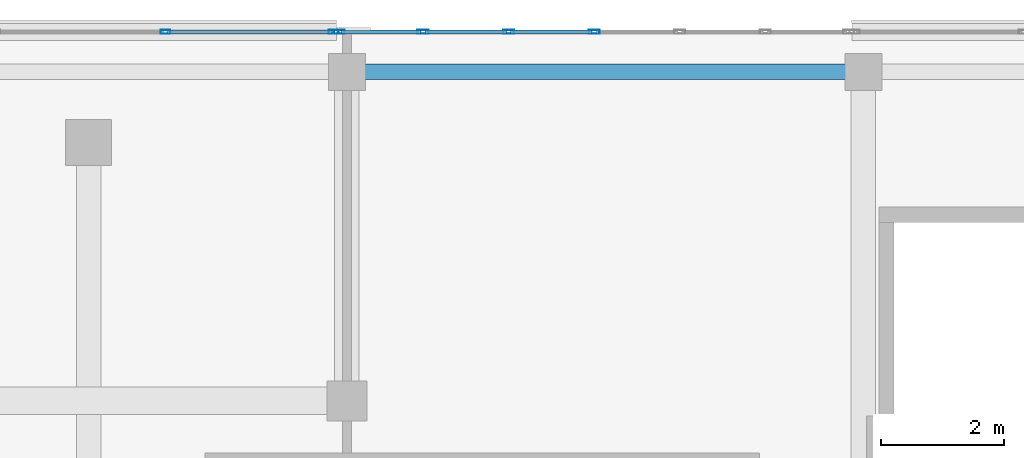
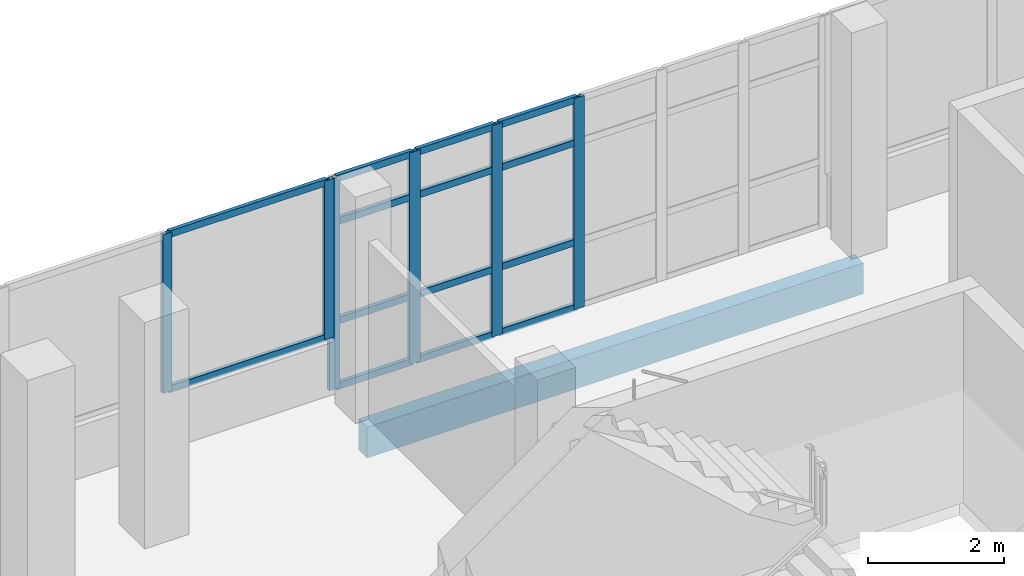
# One storey, part 37 of 76: 20 members, 1 beam, 2 elements without a shape of their own.
"""IFC4 building model written with IfcOpenShell, lengths in metres."""

from ifc_helpers import new_model, si_unit, direction, frame, origin, origin_2d, place, context, subcontext, project, spatial, rectangle, hollow_rectangle, extrude, material, material_profile, profile_set, type_object, element, aggregate, save


model = new_model("IFC4")

# Units and contexts
model_context = context("Model", 3, precision=1e-05, world=origin(), true_north=direction((0.0, 1.0)))
body_context = subcontext(model_context, "Body", "Model", "MODEL_VIEW")
ifc_project = project(units=[si_unit("LENGTHUNIT", "METRE"), si_unit("AREAUNIT", "SQUARE_METRE"), si_unit("VOLUMEUNIT", "CUBIC_METRE"), si_unit("PLANEANGLEUNIT", "RADIAN"), si_unit("MASSUNIT", "GRAM", prefix="KILO")], contexts=[model_context])

# Site, building, storey
site_placement = place(None, origin())
site = spatial("IfcSite", under=ifc_project, at=site_placement, CompositionType="ELEMENT")
building_placement = place(site_placement, origin())
building = spatial("IfcBuilding", under=site, at=building_placement, Name="Selatvlak General Hospital", CompositionType="ELEMENT")
storey_placement = place(building_placement, frame((0.0, 0.0, 27.300048828125)))
storey = spatial("IfcBuildingStorey", under=building, at=storey_placement, Name="L06", CompositionType="ELEMENT", Elevation=27.300048828125)

# Beam
ifc_material_1 = material(Name="Concrete C40/50", Category="concrete")
ifc_material_profile_1 = material_profile(ifc_material_1, rectangle(XDim=0.25, YDim=0.550048828125, at=origin_2d()), Name="RC-SP 250x550")
ifc_profile_set_1 = profile_set([ifc_material_profile_1], Name="Concrete C40/50")
beam_type = type_object("IfcBeamType", Name="BM-SP2", PredefinedType="SPANDREL", material=ifc_profile_set_1)
beam_placement = place(storey_placement, frame((90.0, 119.35009765625, -0.550048828125), z_axis=(1.0, 0.0, 0.0), x_axis=(0.0, 1.0, 0.0)))
element("IfcBeam", 1, at=beam_placement, inside=storey, type_object=beam_type, Name="Beam BMR-L06-2236", PredefinedType="SPANDREL", context=body_context, shape_type="SweptSolid", body=[
    extrude(rectangle(XDim=0.25, YDim=0.550048828125, at=origin_2d()), origin(), (0.0, 0.0, 1.0), 8.39990234375),
])

# Curtain wall, members
ifc_material_2 = material(Name="Solar-control Low-E double glazing", Category="glass")
curtain_wall_type_1 = type_object("IfcCurtainWallType", Name="CW-CW-01", PredefinedType="USERDEFINED", material=ifc_material_2)
curtain_wall_1_placement = place(storey_placement, origin())
curtain_wall_1 = element("IfcCurtainWall", 2, at=curtain_wall_1_placement, inside=storey, type_object=curtain_wall_type_1, Name="Glazed facade curtain wall CW-L06-0605", ObjectType="UNITISED CURTAIN WALL", PredefinedType="USERDEFINED")
ifc_material_3 = material(Name="Dark anodised aluminium mullion", Category="aluminium")
ifc_material_profile_2 = material_profile(ifc_material_3, hollow_rectangle(XDim=0.06494140625, YDim=0.159912109375, WallThickness=0.00390625, at=origin_2d()), Name="AL-MUL 65x160x4")
ifc_profile_set_2 = profile_set([ifc_material_profile_2], Name="Dark anodised aluminium mullion")
member_type_1 = type_object("IfcMemberType", Name="CWM-01", PredefinedType="MULLION", material=ifc_profile_set_2)
member_1_placement = place(storey_placement, frame((87.049560546875, 119.9990234375, 0.93994140625), z_axis=(0.0, 0.0, 1.0), x_axis=(0.0, 1.0, 0.0)))
member_1 = element("IfcMember", 3, at=member_1_placement, type_object=member_type_1, Name="CW-01 mullion 3", PredefinedType="MULLION", context=body_context, shape_type="SweptSolid", body=[
    extrude(hollow_rectangle(XDim=0.06494140625, YDim=0.159912109375, WallThickness=0.00390625, at=origin_2d()), origin(), (0.0, 0.0, 1.0), 2.840087890625),
])
member_2_placement = place(storey_placement, frame((89.783447265625, 119.9990234375, 0.93994140625), z_axis=(0.0, 0.0, 1.0), x_axis=(0.0, 1.0, 0.0)))
member_2 = element("IfcMember", 4, at=member_2_placement, type_object=member_type_1, Name="CW-01 mullion 4", PredefinedType="MULLION", context=body_context, shape_type="SweptSolid", body=[
    extrude(hollow_rectangle(XDim=0.06494140625, YDim=0.159912109375, WallThickness=0.00390625, at=origin_2d()), origin(), (0.0, 0.0, 1.0), 2.840087890625),
])

curtain_wall_type_2 = type_object("IfcCurtainWallType", Name="CW-CW-04", PredefinedType="USERDEFINED", material=ifc_material_2)
curtain_wall_2_placement = place(storey_placement, origin())
curtain_wall_2 = element("IfcCurtainWall", 5, at=curtain_wall_2_placement, inside=storey, type_object=curtain_wall_type_2, Name="Glazed facade curtain wall CW-L06-0606", ObjectType="STICK GLAZING WALL", PredefinedType="USERDEFINED")
ifc_material_profile_3 = material_profile(ifc_material_3, hollow_rectangle(XDim=0.06494140625, YDim=0.179931640625, WallThickness=0.00439453125, at=origin_2d()), Name="AL-MUL 65x180x4.5")
ifc_profile_set_3 = profile_set([ifc_material_profile_3], Name="Dark anodised aluminium mullion")
member_type_2 = type_object("IfcMemberType", Name="CWM-02", PredefinedType="MULLION", material=ifc_profile_set_3)
member_3_placement = place(storey_placement, frame((89.87841796875, 119.9990234375, 0.0), z_axis=(0.0, 0.0, 1.0), x_axis=(0.0, 1.0, 0.0)))
member_3 = element("IfcMember", 6, at=member_3_placement, type_object=member_type_2, Name="CW-04 mullion 1", PredefinedType="MULLION", context=body_context, shape_type="SweptSolid", body=[
    extrude(hollow_rectangle(XDim=0.06494140625, YDim=0.179931640625, WallThickness=0.00439453125, at=origin_2d()), origin(), (0.0, 0.0, 1.0), 3.780029296875),
])
member_4_placement = place(storey_placement, frame((91.237548828125, 119.9990234375, 0.0), z_axis=(0.0, 0.0, 1.0), x_axis=(0.0, 1.0, 0.0)))
member_4 = element("IfcMember", 7, at=member_4_placement, type_object=member_type_2, Name="CW-04 mullion 2", PredefinedType="MULLION", context=body_context, shape_type="SweptSolid", body=[
    extrude(hollow_rectangle(XDim=0.06494140625, YDim=0.179931640625, WallThickness=0.00439453125, at=origin_2d()), origin(), (0.0, 0.0, 1.0), 3.780029296875),
])
member_5_placement = place(storey_placement, frame((92.62890625, 119.9990234375, 0.0), z_axis=(0.0, 0.0, 1.0), x_axis=(0.0, 1.0, 0.0)))
member_5 = element("IfcMember", 8, at=member_5_placement, type_object=member_type_2, Name="CW-04 mullion 3", PredefinedType="MULLION", context=body_context, shape_type="SweptSolid", body=[
    extrude(hollow_rectangle(XDim=0.06494140625, YDim=0.179931640625, WallThickness=0.00439453125, at=origin_2d()), origin(), (0.0, 0.0, 1.0), 3.780029296875),
])
member_6_placement = place(storey_placement, frame((94.0205078125, 119.9990234375, 0.0), z_axis=(0.0, 0.0, 1.0), x_axis=(0.0, 1.0, 0.0)))
member_6 = element("IfcMember", 9, at=member_6_placement, type_object=member_type_2, Name="CW-04 mullion 4", PredefinedType="MULLION", context=body_context, shape_type="SweptSolid", body=[
    extrude(hollow_rectangle(XDim=0.06494140625, YDim=0.179931640625, WallThickness=0.00439453125, at=origin_2d()), origin(), (0.0, 0.0, 1.0), 3.780029296875),
])

# Member
ifc_material_profile_4 = material_profile(ifc_material_3, hollow_rectangle(XDim=0.06494140625, YDim=0.1201171875, WallThickness=0.00390625, at=origin_2d()), Name="AL-TRN 65x120x4")
ifc_profile_set_4 = profile_set([ifc_material_profile_4], Name="Dark anodised aluminium mullion")
member_type_3 = type_object("IfcMemberType", Name="CWT-01", PredefinedType="USERDEFINED", material=ifc_profile_set_4)
member_7_placement = place(storey_placement, frame((87.082275390625, 119.9990234375, 0.972412109375), z_axis=(1.0, 0.0, 0.0), x_axis=(0.0, 1.0, 0.0)))
member_7 = element("IfcMember", 10, at=member_7_placement, type_object=member_type_3, Name="CW-01 transom 3.1", ObjectType="TRANSOM", PredefinedType="USERDEFINED", context=body_context, shape_type="SweptSolid", body=[
    extrude(hollow_rectangle(XDim=0.06494140625, YDim=0.1201171875, WallThickness=0.00390625, at=origin_2d()), origin(), (0.0, 0.0, 1.0), 2.668701171875),
])

member_8_placement = place(storey_placement, frame((87.082275390625, 119.9990234375, 3.74755859375), z_axis=(1.0, 0.0, 0.0), x_axis=(0.0, 1.0, 0.0)))
member_8 = element("IfcMember", 11, at=member_8_placement, type_object=member_type_3, Name="CW-01 transom 3.2", ObjectType="TRANSOM", PredefinedType="USERDEFINED", context=body_context, shape_type="SweptSolid", body=[
    extrude(hollow_rectangle(XDim=0.06494140625, YDim=0.1201171875, WallThickness=0.00390625, at=origin_2d()), origin(), (0.0, 0.0, 1.0), 2.668701171875),
])

aggregate(curtain_wall_1, [member_1, member_2, member_7, member_8])

member_9_placement = place(storey_placement, frame((89.910888671875, 119.9990234375, 0.032470703125), z_axis=(1.0, 0.0, 0.0), x_axis=(0.0, 1.0, 0.0)))
member_9 = element("IfcMember", 12, at=member_9_placement, type_object=member_type_3, Name="CW-04 transom 1.1", ObjectType="TRANSOM", PredefinedType="USERDEFINED", context=body_context, shape_type="SweptSolid", body=[
    extrude(hollow_rectangle(XDim=0.06494140625, YDim=0.1201171875, WallThickness=0.00390625, at=origin_2d()), origin(), (0.0, 0.0, 1.0), 1.294189453125),
])

member_10_placement = place(storey_placement, frame((89.910888671875, 119.9990234375, 1.199951171875), z_axis=(1.0, 0.0, 0.0), x_axis=(0.0, 1.0, 0.0)))
member_10 = element("IfcMember", 13, at=member_10_placement, type_object=member_type_3, Name="CW-04 transom 1.2", ObjectType="TRANSOM", PredefinedType="USERDEFINED", context=body_context, shape_type="SweptSolid", body=[
    extrude(hollow_rectangle(XDim=0.06494140625, YDim=0.1201171875, WallThickness=0.00390625, at=origin_2d()), origin(), (0.0, 0.0, 1.0), 1.294189453125),
])

member_11_placement = place(storey_placement, frame((89.910888671875, 119.9990234375, 2.97998046875), z_axis=(1.0, 0.0, 0.0), x_axis=(0.0, 1.0, 0.0)))
member_11 = element("IfcMember", 14, at=member_11_placement, type_object=member_type_3, Name="CW-04 transom 1.3", ObjectType="TRANSOM", PredefinedType="USERDEFINED", context=body_context, shape_type="SweptSolid", body=[
    extrude(hollow_rectangle(XDim=0.06494140625, YDim=0.1201171875, WallThickness=0.00390625, at=origin_2d()), origin(), (0.0, 0.0, 1.0), 1.294189453125),
])

member_12_placement = place(storey_placement, frame((89.910888671875, 119.9990234375, 3.74755859375), z_axis=(1.0, 0.0, 0.0), x_axis=(0.0, 1.0, 0.0)))
member_12 = element("IfcMember", 15, at=member_12_placement, type_object=member_type_3, Name="CW-04 transom 1.4", ObjectType="TRANSOM", PredefinedType="USERDEFINED", context=body_context, shape_type="SweptSolid", body=[
    extrude(hollow_rectangle(XDim=0.06494140625, YDim=0.1201171875, WallThickness=0.00390625, at=origin_2d()), origin(), (0.0, 0.0, 1.0), 1.294189453125),
])

member_13_placement = place(storey_placement, frame((91.27001953125, 119.9990234375, 0.032470703125), z_axis=(1.0, 0.0, 0.0), x_axis=(0.0, 1.0, 0.0)))
member_13 = element("IfcMember", 16, at=member_13_placement, type_object=member_type_3, Name="CW-04 transom 2.1", ObjectType="TRANSOM", PredefinedType="USERDEFINED", context=body_context, shape_type="SweptSolid", body=[
    extrude(hollow_rectangle(XDim=0.06494140625, YDim=0.1201171875, WallThickness=0.00390625, at=origin_2d()), origin(), (0.0, 0.0, 1.0), 1.326416015625),
])

member_14_placement = place(storey_placement, frame((91.27001953125, 119.9990234375, 1.199951171875), z_axis=(1.0, 0.0, 0.0), x_axis=(0.0, 1.0, 0.0)))
member_14 = element("IfcMember", 17, at=member_14_placement, type_object=member_type_3, Name="CW-04 transom 2.2", ObjectType="TRANSOM", PredefinedType="USERDEFINED", context=body_context, shape_type="SweptSolid", body=[
    extrude(hollow_rectangle(XDim=0.06494140625, YDim=0.1201171875, WallThickness=0.00390625, at=origin_2d()), origin(), (0.0, 0.0, 1.0), 1.326416015625),
])

member_15_placement = place(storey_placement, frame((91.27001953125, 119.9990234375, 2.97998046875), z_axis=(1.0, 0.0, 0.0), x_axis=(0.0, 1.0, 0.0)))
member_15 = element("IfcMember", 18, at=member_15_placement, type_object=member_type_3, Name="CW-04 transom 2.3", ObjectType="TRANSOM", PredefinedType="USERDEFINED", context=body_context, shape_type="SweptSolid", body=[
    extrude(hollow_rectangle(XDim=0.06494140625, YDim=0.1201171875, WallThickness=0.00390625, at=origin_2d()), origin(), (0.0, 0.0, 1.0), 1.326416015625),
])

member_16_placement = place(storey_placement, frame((91.27001953125, 119.9990234375, 3.74755859375), z_axis=(1.0, 0.0, 0.0), x_axis=(0.0, 1.0, 0.0)))
member_16 = element("IfcMember", 19, at=member_16_placement, type_object=member_type_3, Name="CW-04 transom 2.4", ObjectType="TRANSOM", PredefinedType="USERDEFINED", context=body_context, shape_type="SweptSolid", body=[
    extrude(hollow_rectangle(XDim=0.06494140625, YDim=0.1201171875, WallThickness=0.00390625, at=origin_2d()), origin(), (0.0, 0.0, 1.0), 1.326416015625),
])

member_17_placement = place(storey_placement, frame((92.66162109375, 119.9990234375, 0.032470703125), z_axis=(1.0, 0.0, 0.0), x_axis=(0.0, 1.0, 0.0)))
member_17 = element("IfcMember", 20, at=member_17_placement, type_object=member_type_3, Name="CW-04 transom 3.1", ObjectType="TRANSOM", PredefinedType="USERDEFINED", context=body_context, shape_type="SweptSolid", body=[
    extrude(hollow_rectangle(XDim=0.06494140625, YDim=0.1201171875, WallThickness=0.00390625, at=origin_2d()), origin(), (0.0, 0.0, 1.0), 1.326416015625),
])

member_18_placement = place(storey_placement, frame((92.66162109375, 119.9990234375, 1.199951171875), z_axis=(1.0, 0.0, 0.0), x_axis=(0.0, 1.0, 0.0)))
member_18 = element("IfcMember", 21, at=member_18_placement, type_object=member_type_3, Name="CW-04 transom 3.2", ObjectType="TRANSOM", PredefinedType="USERDEFINED", context=body_context, shape_type="SweptSolid", body=[
    extrude(hollow_rectangle(XDim=0.06494140625, YDim=0.1201171875, WallThickness=0.00390625, at=origin_2d()), origin(), (0.0, 0.0, 1.0), 1.326416015625),
])

member_19_placement = place(storey_placement, frame((92.66162109375, 119.9990234375, 2.97998046875), z_axis=(1.0, 0.0, 0.0), x_axis=(0.0, 1.0, 0.0)))
member_19 = element("IfcMember", 22, at=member_19_placement, type_object=member_type_3, Name="CW-04 transom 3.3", ObjectType="TRANSOM", PredefinedType="USERDEFINED", context=body_context, shape_type="SweptSolid", body=[
    extrude(hollow_rectangle(XDim=0.06494140625, YDim=0.1201171875, WallThickness=0.00390625, at=origin_2d()), origin(), (0.0, 0.0, 1.0), 1.326416015625),
])

member_20_placement = place(storey_placement, frame((92.66162109375, 119.9990234375, 3.74755859375), z_axis=(1.0, 0.0, 0.0), x_axis=(0.0, 1.0, 0.0)))
member_20 = element("IfcMember", 23, at=member_20_placement, type_object=member_type_3, Name="CW-04 transom 3.4", ObjectType="TRANSOM", PredefinedType="USERDEFINED", context=body_context, shape_type="SweptSolid", body=[
    extrude(hollow_rectangle(XDim=0.06494140625, YDim=0.1201171875, WallThickness=0.00390625, at=origin_2d()), origin(), (0.0, 0.0, 1.0), 1.326416015625),
])

aggregate(curtain_wall_2, [member_3, member_4, member_5, member_6, member_9, member_10, member_11, member_12, member_13, member_14, member_15, member_16, member_17, member_18, member_19, member_20])

save(model, "model.ifc")
